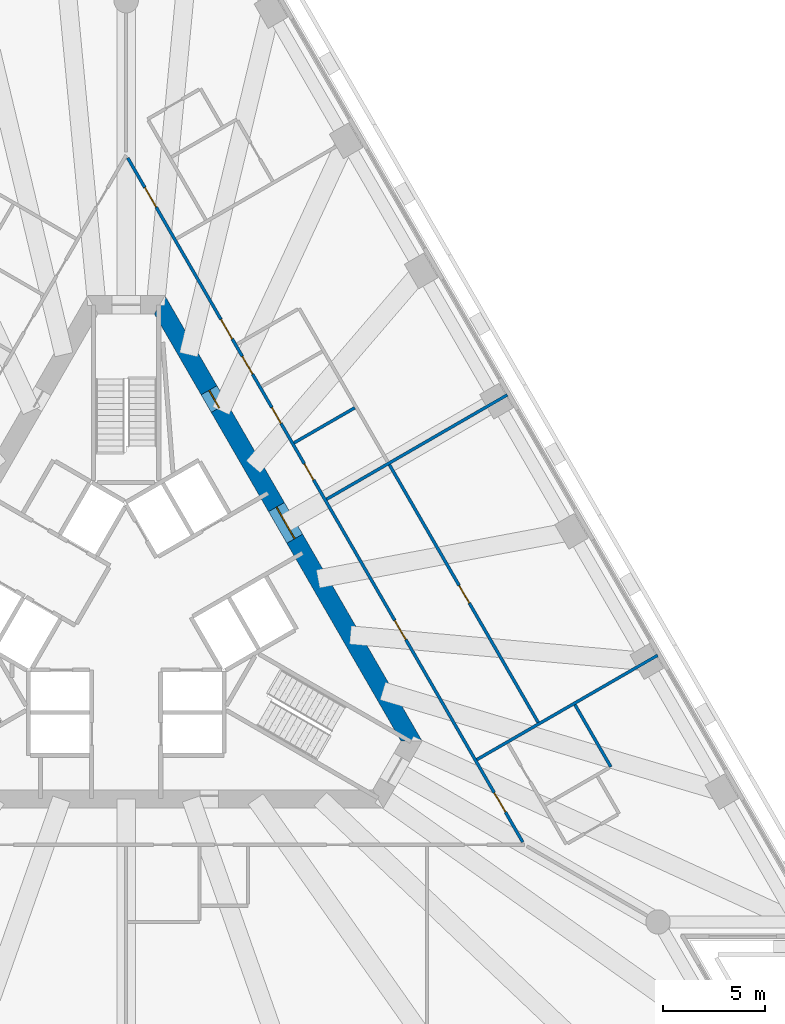
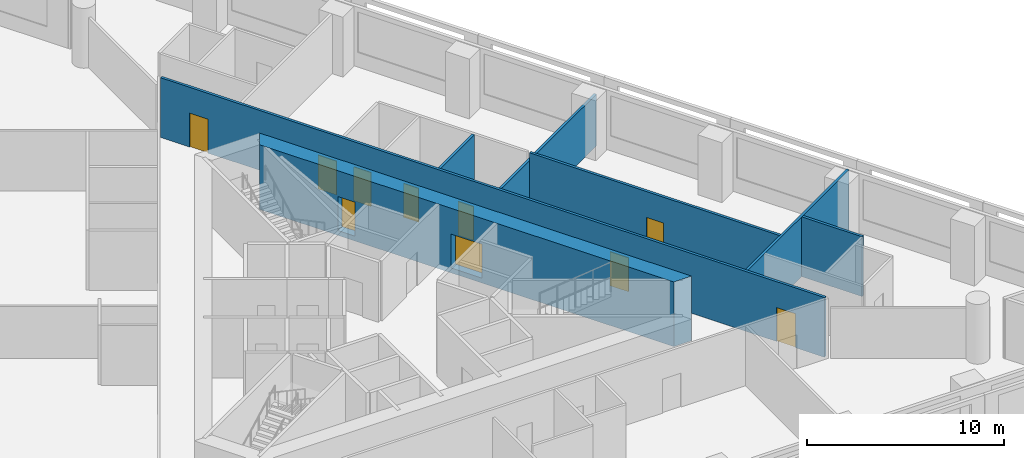
# One storey, part 6 of 11: 10 doors, 7 walls, 10 openings.
"""IFC4 building model written with IfcOpenShell, lengths in metres."""

from ifc_helpers import new_model, si_unit, direction, frame, frame_2d, origin, place, context, subcontext, project, spatial, polyline, rectangle, outline, extrude, material, layer, layer_set, type_object, element, fill, save


model = new_model("IFC4")

# Units and contexts
model_context = context("Model", 3, precision=1e-05, world=origin(), true_north=direction((0.0, 1.0)))
body_context = subcontext(model_context, "Body", "Model", "MODEL_VIEW")
ifc_project = project(units=[si_unit("LENGTHUNIT", "METRE"), si_unit("AREAUNIT", "SQUARE_METRE"), si_unit("VOLUMEUNIT", "CUBIC_METRE"), si_unit("PLANEANGLEUNIT", "RADIAN"), si_unit("MASSUNIT", "GRAM", prefix="KILO")], contexts=[model_context])

# Site, building, storey
site_placement = place(None, origin())
site = spatial("IfcSite", under=ifc_project, at=site_placement, CompositionType="ELEMENT")
building_placement = place(site_placement, origin())
building = spatial("IfcBuilding", under=site, at=building_placement, Name="Triada Interchange Tower", CompositionType="ELEMENT")
storey_placement = place(building_placement, frame((0.0, 0.0, 63.300048828125)))
storey = spatial("IfcBuildingStorey", under=building, at=storey_placement, Name="L13", CompositionType="ELEMENT", Elevation=63.300048828125)

# Wall, openings, doors
ifc_material_1 = material(Name="Concrete C70/85", Category="concrete")
ifc_layer_1 = layer(ifc_material_1, 0.89990234375)
ifc_layer_set_1 = layer_set([ifc_layer_1], Name="Core wall A 900")
wall_type_1 = type_object("IfcWallType", Name="Core wall A 900", PredefinedType="SHEAR", material=ifc_layer_set_1)
wall_1_placement = place(storey_placement, frame((14.030029296875, -6.199951171875, -0.300048828125), z_axis=(0.0, 0.0, 1.0), x_axis=(-0.500026485275, 0.866010111964, 0.0)))
wall_1 = element("IfcWall", 1, at=wall_1_placement, inside=storey, type_object=wall_type_1, Name="Core wall WA06 L13", PredefinedType="SHEAR", context=body_context, shape_type="SweptSolid", body=[
    extrude(outline(polyline([(-0.260009765625, -0.448974609375), (1.685302734375, -0.448974609375), (3.63037109375, -0.44921875), (5.57568359375, -0.44921875), (7.52099609375, -0.44921875), (9.466064453125, -0.449462890625), (11.411376953125, -0.449462890625), (13.356689453125, -0.449462890625), (15.302001953125, -0.449462890625), (17.2470703125, -0.44970703125), (19.1923828125, -0.44970703125), (21.1376953125, -0.44970703125), (23.082763671875, -0.449951171875), (25.028076171875, -0.449951171875), (24.509033203125, 0.448974609375), (22.643798828125, 0.448974609375), (20.7783203125, 0.44921875), (18.9130859375, 0.44921875), (17.0478515625, 0.44921875), (15.182373046875, 0.449462890625), (13.317138671875, 0.449462890625), (11.451904296875, 0.449462890625), (9.586669921875, 0.449462890625), (7.72119140625, 0.44970703125), (5.85595703125, 0.44970703125), (3.99072265625, 0.44970703125), (2.125244140625, 0.449951171875), (0.260009765625, 0.449951171875), (-0.260009765625, -0.448974609375)])), origin(), (0.0, 0.0, 1.0), 4.0),
])
opening_1_placement = place(wall_1_placement, frame((11.48388671875, 0.0, 0.300048828125)))
opening_1 = element("IfcOpeningElement", 2, at=opening_1_placement, cuts=wall_1, Name="Opening D12-40", PredefinedType="OPENING", context=body_context, shape_type="SweptSolid", body=[
    extrude(rectangle(XDim=1.800048828125, YDim=2.10009765625, at=frame_2d((0.89990234375, 1.050048828125))), frame((0.0, 0.4599609375, 0.0), z_axis=(0.0, -1.0, 0.0), x_axis=(1.0, 0.0, 0.0)), (0.0, 0.0, 1.0), 0.919921875),
])
opening_2_placement = place(wall_1_placement, frame((18.9140625, 0.0, 0.300048828125)))
opening_2 = element("IfcOpeningElement", 3, at=opening_2_placement, cuts=wall_1, Name="Opening D12-49", PredefinedType="OPENING", context=body_context, shape_type="SweptSolid", body=[
    extrude(rectangle(XDim=1.0, YDim=2.10009765625, at=frame_2d((0.5, 1.050048828125))), frame((0.0, 0.4599609375, 0.0), z_axis=(0.0, -1.0, 0.0), x_axis=(1.0, 0.0, 0.0)), (0.0, 0.0, 1.0), 0.919921875),
])
ifc_material_2 = material(Name="Steel S235 door leaf", Category="steel")
door_type_1 = type_object("IfcDoorType", Name="LOBBY DOOR 1800 EI2 90-C5S200", OperationType="DOUBLE_DOOR_SINGLE_SWING", PredefinedType="DOOR", material=ifc_material_2)
door_1_placement = place(opening_1_placement, origin())
door_1 = element("IfcDoor", 4, at=door_1_placement, inside=storey, type_object=door_type_1, Name="Door D12-40 L13", OperationType="DOUBLE_DOOR_SINGLE_SWING", OverallHeight=2.10009765625, OverallWidth=1.800048828125, PredefinedType="DOOR", context=body_context, shape_type="SweptSolid", body=[
    extrude(rectangle(XDim=1.800048828125, YDim=2.10009765625, at=frame_2d((0.89990234375, 1.050048828125))), frame((0.0, 0.02490234375, 0.0), z_axis=(0.0, -1.0, 0.0), x_axis=(1.0, 0.0, 0.0)), (0.0, 0.0, 1.0), 0.050048828125),
])
fill(opening_1, door_1)
door_type_2 = type_object("IfcDoorType", Name="SERVICE DOOR 1000 EI2 45-C5S200", OperationType="NOTDEFINED", PredefinedType="DOOR", material=ifc_material_2)
door_2_placement = place(opening_2_placement, origin())
door_2 = element("IfcDoor", 5, at=door_2_placement, inside=storey, type_object=door_type_2, Name="Door D12-49 L13", OperationType="SINGLE_SWING_LEFT", OverallHeight=2.10009765625, OverallWidth=1.0, PredefinedType="DOOR", context=body_context, shape_type="SweptSolid", body=[
    extrude(rectangle(XDim=1.0, YDim=2.10009765625, at=frame_2d((0.5, 1.050048828125))), frame((0.0, 0.02490234375, 0.0), z_axis=(0.0, -1.0, 0.0), x_axis=(1.0, 0.0, 0.0)), (0.0, 0.0, 1.0), 0.050048828125),
])
fill(opening_2, door_2)

# Wall
ifc_material_3 = material(Name="Gypsum board partition")
ifc_layer_2 = layer(ifc_material_3, 0.14990234375)
ifc_layer_set_2 = layer_set([ifc_layer_2], Name="PARTITION 150 EI 180")
wall_type_2 = type_object("IfcWallType", Name="PARTITION 150 EI 180", PredefinedType="PARTITIONING", material=ifc_layer_set_2)
wall_2_placement = place(storey_placement, frame((9.85107421875, 5.68701171875, 0.0), z_axis=(0.0, 0.0, 1.0), x_axis=(0.865968814955, 0.500098001921, 0.0)))
element("IfcWall", 6, at=wall_2_placement, inside=storey, type_object=wall_type_2, Name="Wall L12 2", PredefinedType="PARTITIONING", context=body_context, shape_type="SweptSolid", body=[
    extrude(rectangle(XDim=10.26025390625, YDim=0.14990234375, at=frame_2d((5.130126953125, 0.0))), origin(), (0.0, 0.0, 1.0), 3.199951171875),
])

# Wall, openings, doors
wall_3_placement = place(storey_placement, frame((0.074951171875, 22.469970703125, 0.0), z_axis=(0.0, 0.0, 1.0), x_axis=(0.500002280369, -0.866024087209, 0.0)))
wall_3 = element("IfcWall", 7, at=wall_3_placement, inside=storey, type_object=wall_type_2, Name="Wall L12 22", PredefinedType="PARTITIONING", context=body_context, shape_type="SweptSolid", body=[
    extrude(rectangle(XDim=38.843994140625, YDim=0.14990234375, at=frame_2d((19.421875, 0.0))), origin(), (0.0, 0.0, 1.0), 3.699951171875),
])
opening_3_placement = place(wall_3_placement, frame((36.0439453125, 0.0, 0.0)))
opening_3 = element("IfcOpeningElement", 8, at=opening_3_placement, cuts=wall_3, Name="Opening D12-20", PredefinedType="OPENING", context=body_context, shape_type="SweptSolid", body=[
    extrude(rectangle(XDim=1.10009765625, YDim=2.10009765625, at=frame_2d((0.550048828125, 1.050048828125))), frame((0.0, 0.0849609375, 0.0), z_axis=(0.0, -1.0, 0.0), x_axis=(1.0, 0.0, 0.0)), (0.0, 0.0, 1.0), 0.169921875),
])
opening_4_placement = place(wall_3_placement, frame((26.2548828125, 0.0, 0.0)))
opening_4 = element("IfcOpeningElement", 9, at=opening_4_placement, cuts=wall_3, Name="Opening D12-23", PredefinedType="OPENING", context=body_context, shape_type="SweptSolid", body=[
    extrude(rectangle(XDim=1.10009765625, YDim=2.10009765625, at=frame_2d((0.550048828125, 1.050048828125))), frame((0.0, 0.0849609375, 0.0), z_axis=(0.0, -1.0, 0.0), x_axis=(1.0, 0.0, 0.0)), (0.0, 0.0, 1.0), 0.169921875),
])
opening_5_placement = place(wall_3_placement, frame((9.173095703125, 0.0, 0.0)))
opening_5 = element("IfcOpeningElement", 10, at=opening_5_placement, cuts=wall_3, Name="Opening D12-25", PredefinedType="OPENING", context=body_context, shape_type="SweptSolid", body=[
    extrude(rectangle(XDim=1.10009765625, YDim=2.10009765625, at=frame_2d((0.550048828125, 1.050048828125))), frame((0.0, 0.0849609375, 0.0), z_axis=(0.0, -1.0, 0.0), x_axis=(1.0, 0.0, 0.0)), (0.0, 0.0, 1.0), 0.169921875),
])
opening_6_placement = place(wall_3_placement, frame((17.373046875, 0.0, 0.0)))
opening_6 = element("IfcOpeningElement", 11, at=opening_6_placement, cuts=wall_3, Name="Opening D12-26", PredefinedType="OPENING", context=body_context, shape_type="SweptSolid", body=[
    extrude(rectangle(XDim=0.89990234375, YDim=2.10009765625, at=frame_2d((0.449951171875, 1.050048828125))), frame((0.0, 0.0849609375, 0.0), z_axis=(0.0, -1.0, 0.0), x_axis=(1.0, 0.0, 0.0)), (0.0, 0.0, 1.0), 0.169921875),
])
opening_7_placement = place(wall_3_placement, frame((14.173095703125, 0.0, 0.0)))
opening_7 = element("IfcOpeningElement", 12, at=opening_7_placement, cuts=wall_3, Name="Opening D12-27", PredefinedType="OPENING", context=body_context, shape_type="SweptSolid", body=[
    extrude(rectangle(XDim=0.89990234375, YDim=2.10009765625, at=frame_2d((0.449951171875, 1.050048828125))), frame((0.0, 0.0849609375, 0.0), z_axis=(0.0, -1.0, 0.0), x_axis=(1.0, 0.0, 0.0)), (0.0, 0.0, 1.0), 0.169921875),
])
opening_8_placement = place(wall_3_placement, frame((11.27294921875, 0.0, 0.0)))
opening_8 = element("IfcOpeningElement", 13, at=opening_8_placement, cuts=wall_3, Name="Opening D12-28", PredefinedType="OPENING", context=body_context, shape_type="SweptSolid", body=[
    extrude(rectangle(XDim=1.0, YDim=2.10009765625, at=frame_2d((0.5, 1.050048828125))), frame((0.0, 0.0849609375, 0.0), z_axis=(0.0, -1.0, 0.0), x_axis=(1.0, 0.0, 0.0)), (0.0, 0.0, 1.0), 0.169921875),
])
opening_9_placement = place(wall_3_placement, frame((1.68896484375, 0.0, 0.0)))
opening_9 = element("IfcOpeningElement", 14, at=opening_9_placement, cuts=wall_3, Name="Opening D12-29", PredefinedType="OPENING", context=body_context, shape_type="SweptSolid", body=[
    extrude(rectangle(XDim=1.10009765625, YDim=2.10009765625, at=frame_2d((0.550048828125, 1.050048828125))), frame((0.0, 0.0849609375, 0.0), z_axis=(0.0, -1.0, 0.0), x_axis=(1.0, 0.0, 0.0)), (0.0, 0.0, 1.0), 0.169921875),
])
door_type_3 = type_object("IfcDoorType", Name="ROOM DOOR 1000 EI2 90-C5S200", OperationType="NOTDEFINED", PredefinedType="DOOR", material=ifc_material_2)
door_3_placement = place(opening_8_placement, origin())
door_3 = element("IfcDoor", 15, at=door_3_placement, inside=storey, type_object=door_type_3, Name="Door D12-28 L13", OperationType="SINGLE_SWING_RIGHT", OverallHeight=2.10009765625, OverallWidth=1.0, PredefinedType="DOOR", context=body_context, shape_type="SweptSolid", body=[
    extrude(rectangle(XDim=1.0, YDim=2.10009765625, at=frame_2d((0.5, 1.050048828125))), frame((0.0, 0.02490234375, 0.0), z_axis=(0.0, -1.0, 0.0), x_axis=(1.0, 0.0, 0.0)), (0.0, 0.0, 1.0), 0.050048828125),
])
fill(opening_8, door_3)
door_type_4 = type_object("IfcDoorType", Name="ROOM DOOR 900 EI2 90-C5S200", OperationType="NOTDEFINED", PredefinedType="DOOR", material=ifc_material_2)
door_4_placement = place(opening_6_placement, origin())
door_4 = element("IfcDoor", 16, at=door_4_placement, inside=storey, type_object=door_type_4, Name="Door D12-26 L13", OperationType="SINGLE_SWING_RIGHT", OverallHeight=2.10009765625, OverallWidth=0.89990234375, PredefinedType="DOOR", context=body_context, shape_type="SweptSolid", body=[
    extrude(rectangle(XDim=0.89990234375, YDim=2.10009765625, at=frame_2d((0.449951171875, 1.050048828125))), frame((0.0, 0.02490234375, 0.0), z_axis=(0.0, -1.0, 0.0), x_axis=(1.0, 0.0, 0.0)), (0.0, 0.0, 1.0), 0.050048828125),
])
fill(opening_6, door_4)
door_5_placement = place(opening_7_placement, origin())
door_5 = element("IfcDoor", 17, at=door_5_placement, inside=storey, type_object=door_type_4, Name="Door D12-27 L13", OperationType="SINGLE_SWING_RIGHT", OverallHeight=2.10009765625, OverallWidth=0.89990234375, PredefinedType="DOOR", context=body_context, shape_type="SweptSolid", body=[
    extrude(rectangle(XDim=0.89990234375, YDim=2.10009765625, at=frame_2d((0.449951171875, 1.050048828125))), frame((0.0, 0.02490234375, 0.0), z_axis=(0.0, -1.0, 0.0), x_axis=(1.0, 0.0, 0.0)), (0.0, 0.0, 1.0), 0.050048828125),
])
fill(opening_7, door_5)
door_type_5 = type_object("IfcDoorType", Name="TENANCY ENTRANCE DOOR 1100 EI2 90-C5S200", OperationType="NOTDEFINED", PredefinedType="DOOR", material=ifc_material_2)
door_6_placement = place(opening_3_placement, origin())
door_6 = element("IfcDoor", 18, at=door_6_placement, inside=storey, type_object=door_type_5, Name="Door D12-20 L13", OperationType="SINGLE_SWING_RIGHT", OverallHeight=2.10009765625, OverallWidth=1.10009765625, PredefinedType="DOOR", context=body_context, shape_type="SweptSolid", body=[
    extrude(rectangle(XDim=1.10009765625, YDim=2.10009765625, at=frame_2d((0.550048828125, 1.050048828125))), frame((0.0, 0.02490234375, 0.0), z_axis=(0.0, -1.0, 0.0), x_axis=(1.0, 0.0, 0.0)), (0.0, 0.0, 1.0), 0.050048828125),
])
fill(opening_3, door_6)
door_7_placement = place(opening_4_placement, origin())
door_7 = element("IfcDoor", 19, at=door_7_placement, inside=storey, type_object=door_type_5, Name="Door D12-23 L13", OperationType="SINGLE_SWING_RIGHT", OverallHeight=2.10009765625, OverallWidth=1.10009765625, PredefinedType="DOOR", context=body_context, shape_type="SweptSolid", body=[
    extrude(rectangle(XDim=1.10009765625, YDim=2.10009765625, at=frame_2d((0.550048828125, 1.050048828125))), frame((0.0, 0.02490234375, 0.0), z_axis=(0.0, -1.0, 0.0), x_axis=(1.0, 0.0, 0.0)), (0.0, 0.0, 1.0), 0.050048828125),
])
fill(opening_4, door_7)
door_8_placement = place(opening_5_placement, origin())
door_8 = element("IfcDoor", 20, at=door_8_placement, inside=storey, type_object=door_type_5, Name="Door D12-25 L13", OperationType="SINGLE_SWING_LEFT", OverallHeight=2.10009765625, OverallWidth=1.10009765625, PredefinedType="DOOR", context=body_context, shape_type="SweptSolid", body=[
    extrude(rectangle(XDim=1.10009765625, YDim=2.10009765625, at=frame_2d((0.550048828125, 1.050048828125))), frame((0.0, 0.02490234375, 0.0), z_axis=(0.0, -1.0, 0.0), x_axis=(1.0, 0.0, 0.0)), (0.0, 0.0, 1.0), 0.050048828125),
])
fill(opening_5, door_8)
door_9_placement = place(opening_9_placement, origin())
door_9 = element("IfcDoor", 21, at=door_9_placement, inside=storey, type_object=door_type_5, Name="Door D12-29 L13", OperationType="SINGLE_SWING_LEFT", OverallHeight=2.10009765625, OverallWidth=1.10009765625, PredefinedType="DOOR", context=body_context, shape_type="SweptSolid", body=[
    extrude(rectangle(XDim=1.10009765625, YDim=2.10009765625, at=frame_2d((0.550048828125, 1.050048828125))), frame((0.0, 0.02490234375, 0.0), z_axis=(0.0, -1.0, 0.0), x_axis=(1.0, 0.0, 0.0)), (0.0, 0.0, 1.0), 0.050048828125),
])
fill(opening_9, door_9)

# Walls
wall_4_placement = place(storey_placement, frame((8.2509765625, 8.4580078125, 0.0), z_axis=(0.0, 0.0, 1.0), x_axis=(0.866031223622, 0.49998991961, 0.0)))
element("IfcWall", 22, at=wall_4_placement, inside=storey, type_object=wall_type_2, Name="Wall L12 29", PredefinedType="PARTITIONING", context=body_context, shape_type="SweptSolid", body=[
    extrude(rectangle(XDim=3.4501953125, YDim=0.14990234375, at=frame_2d((1.72509765625, 0.0))), origin(), (0.0, 0.0, 1.0), 3.699951171875),
])
wall_5_placement = place(storey_placement, frame((17.242919921875, -7.114990234375, 0.0), z_axis=(0.0, 0.0, 1.0), x_axis=(0.866020337685, 0.500008774639, 0.0)))
element("IfcWall", 23, at=wall_5_placement, inside=storey, type_object=wall_type_2, Name="Wall L12 31", PredefinedType="PARTITIONING", context=body_context, shape_type="SweptSolid", body=[
    extrude(rectangle(XDim=10.259521484375, YDim=0.14990234375, at=frame_2d((5.1298828125, 0.0))), origin(), (0.0, 0.0, 1.0), 3.699951171875),
])
ifc_layer_3 = layer(ifc_material_3, 0.14990234375)
ifc_layer_set_3 = layer_set([ifc_layer_3], Name="PARTITION 150 EI 90")
wall_type_3 = type_object("IfcWallType", Name="PARTITION 150 EI 90", PredefinedType="PARTITIONING", material=ifc_layer_set_3)
wall_6_placement = place(storey_placement, frame((22.06494140625, -4.4169921875, 0.0), z_axis=(0.0, 0.0, 1.0), x_axis=(0.499856357168, -0.86610832013, 0.0)))
element("IfcWall", 24, at=wall_6_placement, inside=storey, type_object=wall_type_3, Name="Wall L12 43", PredefinedType="PARTITIONING", context=body_context, shape_type="SweptSolid", body=[
    extrude(rectangle(XDim=3.52490234375, YDim=0.14990234375, at=frame_2d((1.762451171875, 0.0))), origin(), (0.0, 0.0, 1.0), 3.699951171875),
])

# Wall, opening, door
wall_7_placement = place(storey_placement, frame((12.94189453125, 7.384033203125, 0.0), z_axis=(0.0, 0.0, 1.0), x_axis=(0.499995423472, -0.866028046028, 0.0)))
wall_7 = element("IfcWall", 25, at=wall_7_placement, inside=storey, type_object=wall_type_3, Name="Wall L12 44", PredefinedType="PARTITIONING", context=body_context, shape_type="SweptSolid", body=[
    extrude(rectangle(XDim=14.632568359375, YDim=0.14990234375, at=frame_2d((7.31640625, 0.0))), origin(), (0.0, 0.0, 1.0), 3.699951171875),
])
opening_10_placement = place(wall_7_placement, frame((6.85693359375, 0.0, 0.0)))
opening_10 = element("IfcOpeningElement", 26, at=opening_10_placement, cuts=wall_7, Name="Opening D12-24", PredefinedType="OPENING", context=body_context, shape_type="SweptSolid", body=[
    extrude(rectangle(XDim=1.0, YDim=2.10009765625, at=frame_2d((0.5, 1.050048828125))), frame((0.0, 0.0849609375, 0.0), z_axis=(0.0, -1.0, 0.0), x_axis=(1.0, 0.0, 0.0)), (0.0, 0.0, 1.0), 0.169921875),
])
door_type_6 = type_object("IfcDoorType", Name="ROOM DOOR 1000 EI2 45-C5S200", OperationType="NOTDEFINED", PredefinedType="DOOR", material=ifc_material_2)
door_10_placement = place(opening_10_placement, origin())
door_10 = element("IfcDoor", 27, at=door_10_placement, inside=storey, type_object=door_type_6, Name="Door D12-24 L13", OperationType="SINGLE_SWING_LEFT", OverallHeight=2.10009765625, OverallWidth=1.0, PredefinedType="DOOR", context=body_context, shape_type="SweptSolid", body=[
    extrude(rectangle(XDim=1.0, YDim=2.10009765625, at=frame_2d((0.5, 1.050048828125))), frame((0.0, 0.02490234375, 0.0), z_axis=(0.0, -1.0, 0.0), x_axis=(1.0, 0.0, 0.0)), (0.0, 0.0, 1.0), 0.050048828125),
])
fill(opening_10, door_10)

save(model, "model.ifc")
